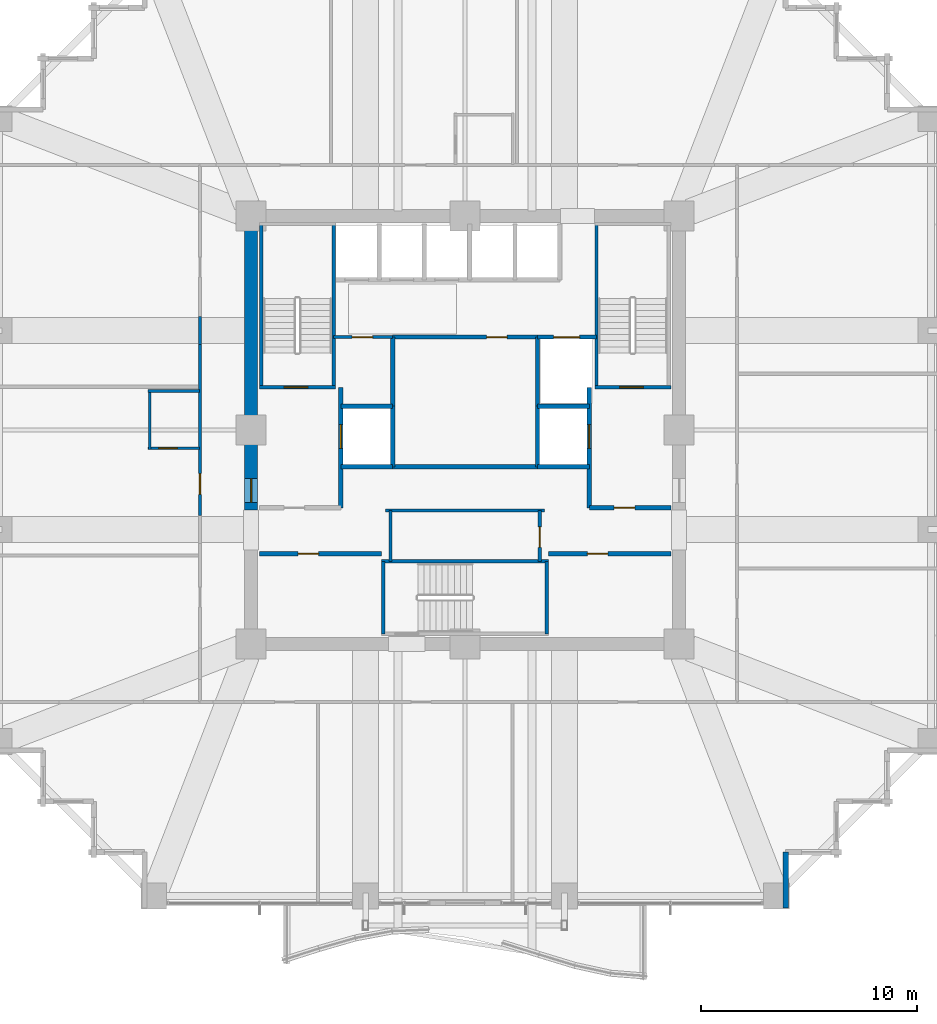
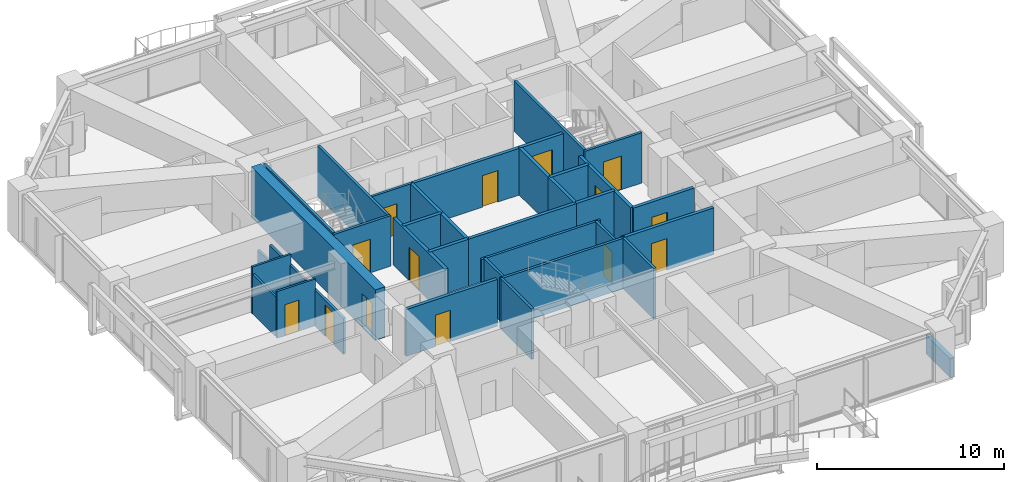
# One storey, part 32 of 37: 35 walls, 14 doors, 14 openings.
"""IFC4 building model written with IfcOpenShell, lengths in metres."""

from ifc_helpers import new_model, si_unit, direction, frame, frame_2d, origin, place, context, subcontext, project, spatial, rectangle, extrude, material, layer, layer_set, type_object, element, fill, save


model = new_model("IFC4")

# Units and contexts
model_context = context("Model", 3, precision=1e-05, world=origin(), true_north=direction((0.0, 1.0)))
body_context = subcontext(model_context, "Body", "Model", "MODEL_VIEW")
ifc_project = project(units=[si_unit("LENGTHUNIT", "METRE"), si_unit("AREAUNIT", "SQUARE_METRE"), si_unit("VOLUMEUNIT", "CUBIC_METRE"), si_unit("PLANEANGLEUNIT", "RADIAN"), si_unit("MASSUNIT", "GRAM", prefix="KILO")], contexts=[model_context])

# Site, building, storey
site_placement = place(None, origin())
site = spatial("IfcSite", under=ifc_project, at=site_placement, CompositionType="ELEMENT")
building_placement = place(site_placement, origin())
building = spatial("IfcBuilding", under=site, at=building_placement, Name="Kolvaren Belvedere", CompositionType="ELEMENT")
storey_placement = place(building_placement, frame((0.0, 0.0, 56.800048828125)))
storey = spatial("IfcBuildingStorey", under=building, at=storey_placement, Name="L16", CompositionType="ELEMENT", Elevation=56.800048828125)

# Wall, opening, door
ifc_material_1 = material(Name="Concrete C60/75", Category="concrete")
ifc_layer_1 = layer(ifc_material_1, 0.60009765625)
ifc_layer_set_1 = layer_set([ifc_layer_1], Name="Concrete C60/75")
wall_type_1 = type_object("IfcWallType", Name="CW-CORE-600", PredefinedType="SHEAR", material=ifc_layer_set_1)
wall_1_placement = place(storey_placement, frame((-9.89990234375, -3.699951171875, 0.0), z_axis=(0.0, 0.0, 1.0), x_axis=(0.0, 1.0, 0.0)))
wall_1 = element("IfcWall", 1, at=wall_1_placement, inside=storey, type_object=wall_type_1, Name="L16 West Core Shear Wall 2", PredefinedType="SHEAR", context=body_context, shape_type="SweptSolid", body=[
    extrude(rectangle(XDim=13.300048828125, YDim=0.60009765625, at=frame_2d((6.64990234375, 0.0))), origin(), (0.0, 0.0, 1.0), 3.300048828125),
])
opening_1_placement = place(wall_1_placement, frame((0.35009765625, 0.0, 0.0)))
opening_1 = element("IfcOpeningElement", 2, at=opening_1_placement, cuts=wall_1, Name="Opening D-FD90", PredefinedType="OPENING", context=body_context, shape_type="SweptSolid", body=[
    extrude(rectangle(XDim=1.10009765625, YDim=2.199951171875, at=frame_2d((0.550048828125, 1.10009765625))), frame((0.0, 0.31005859375, 0.0), z_axis=(0.0, -1.0, 0.0), x_axis=(1.0, 0.0, 0.0)), (0.0, 0.0, 1.0), 0.6201171875),
])
ifc_material_2 = material(Name="Painted hollow stainless steel", Category="steel")
door_type_1 = type_object("IfcDoorType", Name="DR-FD90-1100", OperationType="NOTDEFINED", PredefinedType="DOOR", material=ifc_material_2)
door_1_placement = place(opening_1_placement, origin())
door_1 = element("IfcDoor", 3, at=door_1_placement, inside=storey, type_object=door_type_1, Name="L16 West Firefighting Lobby Fire Door", OperationType="SINGLE_SWING_LEFT", OverallHeight=2.199951171875, OverallWidth=1.10009765625, PredefinedType="DOOR", context=body_context, shape_type="SweptSolid", body=[
    extrude(rectangle(XDim=1.10009765625, YDim=2.199951171875, at=frame_2d((0.550048828125, 1.10009765625))), frame((0.0, 0.02490234375, 0.0), z_axis=(0.0, -1.0, 0.0), x_axis=(1.0, 0.0, 0.0)), (0.0, 0.0, 1.0), 0.050048828125),
])
fill(opening_1, door_1)

ifc_material_3 = material(Name="Concrete C50/60", Category="concrete")
ifc_layer_2 = layer(ifc_material_3, 0.159912109375)
ifc_layer_set_2 = layer_set([ifc_layer_2], Name="Concrete C50/60")
wall_type_2 = type_object("IfcWallType", Name="CW-STAIR-160", PredefinedType="SHEAR", material=ifc_layer_set_2)
wall_2_placement = place(storey_placement, frame((-9.52001953125, 1.969970703125, 0.0), z_axis=(0.0, 0.0, 1.0), x_axis=(1.0, 0.0, 0.0)))
wall_2 = element("IfcWall", 4, at=wall_2_placement, inside=storey, type_object=wall_type_2, Name="L16 Stair ST-1 South Shear Wall", PredefinedType="SHEAR", context=body_context, shape_type="SweptSolid", body=[
    extrude(rectangle(XDim=3.52001953125, YDim=0.159912109375, at=frame_2d((1.760009765625, 0.0))), origin(), (0.0, 0.0, 1.0), 3.300048828125),
])
opening_2_placement = place(wall_2_placement, frame((1.14990234375, 0.0, 0.0)))
opening_2 = element("IfcOpeningElement", 5, at=opening_2_placement, cuts=wall_2, Name="Opening D-FD90", PredefinedType="OPENING", context=body_context, shape_type="SweptSolid", body=[
    extrude(rectangle(XDim=1.10009765625, YDim=2.199951171875, at=frame_2d((0.550048828125, 1.10009765625))), frame((0.0, 0.08984375, 0.0), z_axis=(0.0, -1.0, 0.0), x_axis=(1.0, 0.0, 0.0)), (0.0, 0.0, 1.0), 0.179931640625),
])
door_2_placement = place(opening_2_placement, origin())
door_2 = element("IfcDoor", 6, at=door_2_placement, inside=storey, type_object=door_type_1, Name="L16 Stair ST-1 Fire Door", OperationType="SINGLE_SWING_LEFT", OverallHeight=2.199951171875, OverallWidth=1.10009765625, PredefinedType="DOOR", context=body_context, shape_type="SweptSolid", body=[
    extrude(rectangle(XDim=1.10009765625, YDim=2.199951171875, at=frame_2d((0.550048828125, 1.10009765625))), frame((0.0, 0.02490234375, 0.0), z_axis=(0.0, -1.0, 0.0), x_axis=(1.0, 0.0, 0.0)), (0.0, 0.0, 1.0), 0.050048828125),
])
fill(opening_2, door_2)

# Walls
for number, where, z_axis, x_axis, name in (
    (7, (-9.429931640625, 1.969970703125, 0.0), (0.0, 0.0, 1.0), (0.0, 1.0, 0.0), "L16 Stair ST-1 West Shear Wall"),
    (8, (-6.080078125, 1.969970703125, 0.0), (0.0, 0.0, 1.0), (0.0, 1.0, 0.0), "L16 Stair ST-1 East Shear Wall"),
):
    element("IfcWall", number, at=place(storey_placement, frame(where, z_axis=z_axis, x_axis=x_axis)), inside=storey, type_object=wall_type_2, Name=name, PredefinedType="SHEAR", context=body_context, shape_type="SweptSolid", body=[
        extrude(rectangle(XDim=7.56005859375, YDim=0.159912109375, at=frame_2d((3.780029296875, 0.0))), origin(), (0.0, 0.0, 1.0), 3.300048828125),
    ])

# Wall, opening, door
wall_3_placement = place(storey_placement, frame((6.0, 1.969970703125, 0.0), z_axis=(0.0, 0.0, 1.0), x_axis=(1.0, 0.0, 0.0)))
wall_3 = element("IfcWall", 9, at=wall_3_placement, inside=storey, type_object=wall_type_2, Name="L16 Stair ST-2 South Shear Wall", PredefinedType="SHEAR", context=body_context, shape_type="SweptSolid", body=[
    extrude(rectangle(XDim=3.52001953125, YDim=0.159912109375, at=frame_2d((1.760009765625, 0.0))), origin(), (0.0, 0.0, 1.0), 3.300048828125),
])
opening_3_placement = place(wall_3_placement, frame((1.14990234375, 0.0, 0.0)))
opening_3 = element("IfcOpeningElement", 10, at=opening_3_placement, cuts=wall_3, Name="Opening D-FD90", PredefinedType="OPENING", context=body_context, shape_type="SweptSolid", body=[
    extrude(rectangle(XDim=1.10009765625, YDim=2.199951171875, at=frame_2d((0.550048828125, 1.10009765625))), frame((0.0, 0.08984375, 0.0), z_axis=(0.0, -1.0, 0.0), x_axis=(1.0, 0.0, 0.0)), (0.0, 0.0, 1.0), 0.179931640625),
])
door_3_placement = place(opening_3_placement, origin())
door_3 = element("IfcDoor", 11, at=door_3_placement, inside=storey, type_object=door_type_1, Name="L16 Stair ST-2 Fire Door", OperationType="SINGLE_SWING_RIGHT", OverallHeight=2.199951171875, OverallWidth=1.10009765625, PredefinedType="DOOR", context=body_context, shape_type="SweptSolid", body=[
    extrude(rectangle(XDim=1.10009765625, YDim=2.199951171875, at=frame_2d((0.550048828125, 1.10009765625))), frame((0.0, 0.02490234375, 0.0), z_axis=(0.0, -1.0, 0.0), x_axis=(1.0, 0.0, 0.0)), (0.0, 0.0, 1.0), 0.050048828125),
])
fill(opening_3, door_3)

# Walls
wall_4_placement = place(storey_placement, frame((6.080078125, 1.969970703125, 0.0), z_axis=(0.0, 0.0, 1.0), x_axis=(0.0, 1.0, 0.0)))
element("IfcWall", 12, at=wall_4_placement, inside=storey, type_object=wall_type_2, Name="L16 Stair ST-2 West Shear Wall", PredefinedType="SHEAR", context=body_context, shape_type="SweptSolid", body=[
    extrude(rectangle(XDim=7.56005859375, YDim=0.159912109375, at=frame_2d((3.780029296875, 0.0))), origin(), (0.0, 0.0, 1.0), 3.300048828125),
])
wall_5_placement = place(storey_placement, frame((-3.860107421875, -6.080078125, 0.0), z_axis=(0.0, 0.0, 1.0), x_axis=(1.0, 0.0, 0.0)))
element("IfcWall", 13, at=wall_5_placement, inside=storey, type_object=wall_type_2, Name="L16 Stair ST-3 North Shear Wall", PredefinedType="SHEAR", context=body_context, shape_type="SweptSolid", body=[
    extrude(rectangle(XDim=7.72021484375, YDim=0.159912109375, at=frame_2d((3.860107421875, 0.0))), origin(), (0.0, 0.0, 1.0), 3.300048828125),
])
for number, where, z_axis, x_axis, name in (
    (14, (-3.780029296875, -9.429931640625, 0.0), (0.0, 0.0, 1.0), (0.0, 1.0, 0.0), "L16 Stair ST-3 West Shear Wall"),
    (15, (3.780029296875, -9.429931640625, 0.0), (0.0, 0.0, 1.0), (0.0, 1.0, 0.0), "L16 Stair ST-3 East Shear Wall"),
):
    element("IfcWall", number, at=place(storey_placement, frame(where, z_axis=z_axis, x_axis=x_axis)), inside=storey, type_object=wall_type_2, Name=name, PredefinedType="SHEAR", context=body_context, shape_type="SweptSolid", body=[
        extrude(rectangle(XDim=3.349853515625, YDim=0.159912109375, at=frame_2d((1.6748046875, 0.0))), origin(), (0.0, 0.0, 1.0), 3.300048828125),
    ])

# Wall, opening, door
ifc_material_4 = material(Name="Gypsum fire-rated partition assembly", Category="gypsum")
ifc_layer_3 = layer(ifc_material_4, 0.14990234375)
ifc_layer_set_3 = layer_set([ifc_layer_3], Name="Gypsum fire-rated partition assembly")
wall_type_3 = type_object("IfcWallType", Name="WL-CORR-150", PredefinedType="PARTITIONING", material=ifc_layer_set_3)
wall_6_placement = place(storey_placement, frame((-12.260009765625, -3.9580078125, 0.0), z_axis=(0.0, 0.0, 1.0), x_axis=(0.0, 1.0, 0.0)))
wall_6 = element("IfcWall", 16, at=wall_6_placement, inside=storey, type_object=wall_type_3, Name="L16 West Corridor Wall", PredefinedType="PARTITIONING", context=body_context, shape_type="SweptSolid", body=[
    extrude(rectangle(XDim=7.916015625, YDim=0.14990234375, at=frame_2d((3.9580078125, 0.0))), origin(), (0.0, 0.0, 1.0), 2.348876953125),
])
opening_4_placement = place(wall_6_placement, frame((0.985595703125, 0.0, 0.0)))
opening_4 = element("IfcOpeningElement", 17, at=opening_4_placement, cuts=wall_6, Name="Opening D-FD60", PredefinedType="OPENING", context=body_context, shape_type="SweptSolid", body=[
    extrude(rectangle(XDim=0.949951171875, YDim=2.06005859375, at=frame_2d((0.47509765625, 1.030029296875))), frame((0.0, 0.0849609375, 0.0), z_axis=(0.0, -1.0, 0.0), x_axis=(1.0, 0.0, 0.0)), (0.0, 0.0, 1.0), 0.169921875),
])
ifc_material_5 = material(Name="Acoustic white-oak fire door leaf", Category="timber")
door_type_2 = type_object("IfcDoorType", Name="DR-FD60-950", OperationType="NOTDEFINED", PredefinedType="DOOR", material=ifc_material_5)
door_4_placement = place(opening_4_placement, origin())
door_4 = element("IfcDoor", 18, at=door_4_placement, inside=storey, type_object=door_type_2, Name="L16 King Guest Room 1608 Entry Door", OperationType="SINGLE_SWING_RIGHT", OverallHeight=2.06005859375, OverallWidth=0.949951171875, PredefinedType="DOOR", context=body_context, shape_type="SweptSolid", body=[
    extrude(rectangle(XDim=0.949951171875, YDim=2.06005859375, at=frame_2d((0.47509765625, 1.030029296875))), frame((0.0, 0.02490234375, 0.0), z_axis=(0.0, -1.0, 0.0), x_axis=(1.0, 0.0, 0.0)), (0.0, 0.0, 1.0), 0.050048828125),
])
fill(opening_4, door_4)

# Walls
wall_7_placement = place(storey_placement, frame((-12.260009765625, 3.9580078125, 0.0), z_axis=(0.0, 0.0, 1.0), x_axis=(0.0, 1.0, 0.0)))
element("IfcWall", 19, at=wall_7_placement, inside=storey, type_object=wall_type_3, Name="L16 West Corridor Wall", PredefinedType="PARTITIONING", context=body_context, shape_type="SweptSolid", body=[
    extrude(rectangle(XDim=1.283935546875, YDim=0.14990234375, at=frame_2d((0.64208984375, 0.0))), origin(), (0.0, 0.0, 1.0), 1.244873046875),
])
ifc_material_6 = material(Name="Insulated pale-metal facade wall assembly", Category="aluminium")
ifc_layer_4 = layer(ifc_material_6, 0.239990234375)
ifc_layer_set_4 = layer_set([ifc_layer_4], Name="Insulated pale-metal facade wall assembly")
wall_type_4 = type_object("IfcWallType", Name="WL-EXT-240", PredefinedType="STANDARD", material=ifc_layer_set_4)
wall_8_placement = place(storey_placement, frame((14.830078125, -19.530029296875, 0.0), z_axis=(0.0, 0.0, 1.0), x_axis=(0.0, -1.0, 0.0)))
element("IfcWall", 20, at=wall_8_placement, inside=storey, type_object=wall_type_4, Name="L16 Serrated Corner Facade Wall 2", PredefinedType="STANDARD", context=body_context, shape_type="SweptSolid", body=[
    extrude(rectangle(XDim=2.590087890625, YDim=0.239990234375, at=frame_2d((1.294921875, 0.0))), origin(), (0.0, 0.0, 1.0), 1.2548828125),
])
ifc_material_7 = material(Name="Gypsum acoustic partition assembly", Category="gypsum")
ifc_layer_5 = layer(ifc_material_7, 0.14990234375)
ifc_layer_set_5 = layer_set([ifc_layer_5], Name="Gypsum acoustic partition assembly")
wall_type_5 = type_object("IfcWallType", Name="WL-PART-150", PredefinedType="PARTITIONING", material=ifc_layer_set_5)
wall_9_placement = place(storey_placement, frame((-3.679931640625, -3.719970703125, 0.0), z_axis=(0.0, 0.0, 1.0), x_axis=(1.0, 0.0, 0.0)))
element("IfcWall", 21, at=wall_9_placement, inside=storey, type_object=wall_type_5, Name="L16 South Core Service North Wall", PredefinedType="PARTITIONING", context=body_context, shape_type="SweptSolid", body=[
    extrude(rectangle(XDim=7.35986328125, YDim=0.14990234375, at=frame_2d((3.679931640625, 0.0))), origin(), (0.0, 0.0, 1.0), 3.06005859375),
])

# Wall, opening, door
wall_10_placement = place(storey_placement, frame((3.449951171875, -6.080078125, 0.0), z_axis=(0.0, 0.0, 1.0), x_axis=(0.0, 1.0, 0.0)))
wall_10 = element("IfcWall", 22, at=wall_10_placement, inside=storey, type_object=wall_type_5, Name="L16 South Core Service East Wall", PredefinedType="PARTITIONING", context=body_context, shape_type="SweptSolid", body=[
    extrude(rectangle(XDim=2.360107421875, YDim=0.14990234375, at=frame_2d((1.18017578125, 0.0))), origin(), (0.0, 0.0, 1.0), 3.06005859375),
])
opening_5_placement = place(wall_10_placement, frame((0.64990234375, 0.0, 0.0)))
opening_5 = element("IfcOpeningElement", 23, at=opening_5_placement, cuts=wall_10, Name="Opening D-FD60", PredefinedType="OPENING", context=body_context, shape_type="SweptSolid", body=[
    extrude(rectangle(XDim=0.949951171875, YDim=2.06005859375, at=frame_2d((0.47509765625, 1.030029296875))), frame((0.0, 0.0849609375, 0.0), z_axis=(0.0, -1.0, 0.0), x_axis=(1.0, 0.0, 0.0)), (0.0, 0.0, 1.0), 0.169921875),
])
door_5_placement = place(opening_5_placement, origin())
door_5 = element("IfcDoor", 24, at=door_5_placement, inside=storey, type_object=door_type_2, Name="L16 Core Service Room Door", OperationType="SINGLE_SWING_LEFT", OverallHeight=2.06005859375, OverallWidth=0.949951171875, PredefinedType="DOOR", context=body_context, shape_type="SweptSolid", body=[
    extrude(rectangle(XDim=0.949951171875, YDim=2.06005859375, at=frame_2d((0.47509765625, 1.030029296875))), frame((0.0, 0.02490234375, 0.0), z_axis=(0.0, -1.0, 0.0), x_axis=(1.0, 0.0, 0.0)), (0.0, 0.0, 1.0), 0.050048828125),
])
fill(opening_5, door_5)

# Wall
wall_11_placement = place(storey_placement, frame((-3.449951171875, -6.080078125, 0.0), z_axis=(0.0, 0.0, 1.0), x_axis=(0.0, 1.0, 0.0)))
element("IfcWall", 25, at=wall_11_placement, inside=storey, type_object=wall_type_5, Name="L16 South Core Service West Wall", PredefinedType="PARTITIONING", context=body_context, shape_type="SweptSolid", body=[
    extrude(rectangle(XDim=2.360107421875, YDim=0.14990234375, at=frame_2d((1.18017578125, 0.0))), origin(), (0.0, 0.0, 1.0), 3.06005859375),
])

# Wall, opening, door
wall_12_placement = place(storey_placement, frame((-6.080078125, 4.300048828125, 0.0), z_axis=(0.0, 0.0, 1.0), x_axis=(1.0, 0.0, 0.0)))
wall_12 = element("IfcWall", 26, at=wall_12_placement, inside=storey, type_object=wall_type_5, Name="L16 NW Service Room North Wall", PredefinedType="PARTITIONING", context=body_context, shape_type="SweptSolid", body=[
    extrude(rectangle(XDim=2.72998046875, YDim=0.14990234375, at=frame_2d((1.364990234375, 0.0))), origin(), (0.0, 0.0, 1.0), 3.06005859375),
])
opening_6_placement = place(wall_12_placement, frame((0.85009765625, 0.0, 0.0)))
opening_6 = element("IfcOpeningElement", 27, at=opening_6_placement, cuts=wall_12, Name="Opening D-FD60", PredefinedType="OPENING", context=body_context, shape_type="SweptSolid", body=[
    extrude(rectangle(XDim=0.949951171875, YDim=2.06005859375, at=frame_2d((0.47509765625, 1.030029296875))), frame((0.0, 0.0849609375, 0.0), z_axis=(0.0, -1.0, 0.0), x_axis=(1.0, 0.0, 0.0)), (0.0, 0.0, 1.0), 0.169921875),
])
door_6_placement = place(opening_6_placement, origin())
door_6 = element("IfcDoor", 28, at=door_6_placement, inside=storey, type_object=door_type_2, Name="L16 NW Core Store Door", OperationType="SINGLE_SWING_RIGHT", OverallHeight=2.06005859375, OverallWidth=0.949951171875, PredefinedType="DOOR", context=body_context, shape_type="SweptSolid", body=[
    extrude(rectangle(XDim=0.949951171875, YDim=2.06005859375, at=frame_2d((0.47509765625, 1.030029296875))), frame((0.0, 0.02490234375, 0.0), z_axis=(0.0, -1.0, 0.0), x_axis=(1.0, 0.0, 0.0)), (0.0, 0.0, 1.0), 0.050048828125),
])
fill(opening_6, door_6)

ifc_material_8 = material(Name="Concrete C50/60", Category="concrete")
ifc_layer_6 = layer(ifc_material_8, 0.199951171875)
ifc_layer_set_6 = layer_set([ifc_layer_6], Name="Concrete C50/60")
wall_type_6 = type_object("IfcWallType", Name="WL-SHAFT-200", PredefinedType="SOLIDWALL", material=ifc_layer_set_6)
wall_13_placement = place(storey_placement, frame((-5.75, -3.60009765625, 0.0), z_axis=(0.0, 0.0, 1.0), x_axis=(0.0, 1.0, 0.0)))
wall_13 = element("IfcWall", 29, at=wall_13_placement, inside=storey, type_object=wall_type_6, Name="L16 FSAE FS1 Landing Wall", PredefinedType="SOLIDWALL", context=body_context, shape_type="SweptSolid", body=[
    extrude(rectangle(XDim=5.570068359375, YDim=0.199951171875, at=frame_2d((2.78515625, 0.0))), origin(), (0.0, 0.0, 1.0), 3.06005859375),
])
opening_7_placement = place(wall_13_placement, frame((2.75, 0.0, 0.0)))
opening_7 = element("IfcOpeningElement", 30, at=opening_7_placement, cuts=wall_13, Name="Opening LD-11", PredefinedType="OPENING", context=body_context, shape_type="SweptSolid", body=[
    extrude(rectangle(XDim=1.10009765625, YDim=2.199951171875, at=frame_2d((0.550048828125, 1.10009765625))), frame((0.0, 0.10986328125, 0.0), z_axis=(0.0, -1.0, 0.0), x_axis=(1.0, 0.0, 0.0)), (0.0, 0.0, 1.0), 0.219970703125),
])
ifc_material_9 = material(Name="Brushed stainless steel", Category="steel")
door_type_3 = type_object("IfcDoorType", Name="DR-LIFT-1100", OperationType="DOUBLE_DOOR_SLIDING", PredefinedType="DOOR", material=ifc_material_9)
door_7_placement = place(opening_7_placement, origin())
door_7 = element("IfcDoor", 31, at=door_7_placement, inside=storey, type_object=door_type_3, Name="L16 Firefighting Lift FS1 Landing Door", OperationType="DOUBLE_DOOR_SLIDING", OverallHeight=2.199951171875, OverallWidth=1.10009765625, PredefinedType="DOOR", context=body_context, shape_type="SweptSolid", body=[
    extrude(rectangle(XDim=1.10009765625, YDim=2.199951171875, at=frame_2d((0.550048828125, 1.10009765625))), frame((0.0, 0.02490234375, 0.0), z_axis=(0.0, -1.0, 0.0), x_axis=(1.0, 0.0, 0.0)), (0.0, 0.0, 1.0), 0.050048828125),
])
fill(opening_7, door_7)

# Walls
wall_14_placement = place(storey_placement, frame((-3.35009765625, -1.699951171875, 0.0), z_axis=(0.0, 0.0, 1.0), x_axis=(0.0, 1.0, 0.0)))
element("IfcWall", 32, at=wall_14_placement, inside=storey, type_object=wall_type_6, Name="L16 FSAE FS1 Back Wall", PredefinedType="SOLIDWALL", context=body_context, shape_type="SweptSolid", body=[
    extrude(rectangle(XDim=2.800048828125, YDim=0.199951171875, at=frame_2d((1.39990234375, 0.0))), origin(), (0.0, 0.0, 1.0), 3.06005859375),
])
for number, where, z_axis, x_axis, name in (
    (33, (-5.75, -1.699951171875, 0.0), (0.0, 0.0, 1.0), (1.0, 0.0, 0.0), "L16 FSAE FS1 South Wall"),
    (34, (-5.75, 1.10009765625, 0.0), (0.0, 0.0, 1.0), (1.0, 0.0, 0.0), "L16 FSAE FS1 North Wall"),
):
    element("IfcWall", number, at=place(storey_placement, frame(where, z_axis=z_axis, x_axis=x_axis)), inside=storey, type_object=wall_type_6, Name=name, PredefinedType="SOLIDWALL", context=body_context, shape_type="SweptSolid", body=[
        extrude(rectangle(XDim=2.39990234375, YDim=0.199951171875, at=frame_2d((1.199951171875, 0.0))), origin(), (0.0, 0.0, 1.0), 3.06005859375),
    ])

# Wall, opening, door
wall_15_placement = place(storey_placement, frame((5.75, -3.60009765625, 0.0), z_axis=(0.0, 0.0, 1.0), x_axis=(1.0, 0.0, 0.0)))
wall_15 = element("IfcWall", 35, at=wall_15_placement, inside=storey, type_object=wall_type_6, Name="L16 East FSAE Lobby South Wall", PredefinedType="SOLIDWALL", context=body_context, shape_type="SweptSolid", body=[
    extrude(rectangle(XDim=3.77001953125, YDim=0.199951171875, at=frame_2d((1.885009765625, 0.0))), origin(), (0.0, 0.0, 1.0), 3.06005859375),
])
opening_8_placement = place(wall_15_placement, frame((1.14990234375, 0.0, 0.0)))
opening_8 = element("IfcOpeningElement", 36, at=opening_8_placement, cuts=wall_15, Name="Opening D-FD60", PredefinedType="OPENING", context=body_context, shape_type="SweptSolid", body=[
    extrude(rectangle(XDim=0.949951171875, YDim=2.06005859375, at=frame_2d((0.47509765625, 1.030029296875))), frame((0.0, 0.10986328125, 0.0), z_axis=(0.0, -1.0, 0.0), x_axis=(1.0, 0.0, 0.0)), (0.0, 0.0, 1.0), 0.219970703125),
])
door_8_placement = place(opening_8_placement, origin())
door_8 = element("IfcDoor", 37, at=door_8_placement, inside=storey, type_object=door_type_2, Name="L16 SE Lift Lobby Fire Door", OperationType="SINGLE_SWING_RIGHT", OverallHeight=2.06005859375, OverallWidth=0.949951171875, PredefinedType="DOOR", context=body_context, shape_type="SweptSolid", body=[
    extrude(rectangle(XDim=0.949951171875, YDim=2.06005859375, at=frame_2d((0.47509765625, 1.030029296875))), frame((0.0, 0.02490234375, 0.0), z_axis=(0.0, -1.0, 0.0), x_axis=(1.0, 0.0, 0.0)), (0.0, 0.0, 1.0), 0.050048828125),
])
fill(opening_8, door_8)

wall_16_placement = place(storey_placement, frame((5.75, -3.60009765625, 0.0), z_axis=(0.0, 0.0, 1.0), x_axis=(0.0, 1.0, 0.0)))
wall_16 = element("IfcWall", 38, at=wall_16_placement, inside=storey, type_object=wall_type_6, Name="L16 FSAE FS2 Landing Wall", PredefinedType="SOLIDWALL", context=body_context, shape_type="SweptSolid", body=[
    extrude(rectangle(XDim=5.570068359375, YDim=0.199951171875, at=frame_2d((2.78515625, 0.0))), origin(), (0.0, 0.0, 1.0), 3.06005859375),
])
opening_9_placement = place(wall_16_placement, frame((2.75, 0.0, 0.0)))
opening_9 = element("IfcOpeningElement", 39, at=opening_9_placement, cuts=wall_16, Name="Opening LD-11", PredefinedType="OPENING", context=body_context, shape_type="SweptSolid", body=[
    extrude(rectangle(XDim=1.10009765625, YDim=2.199951171875, at=frame_2d((0.550048828125, 1.10009765625))), frame((0.0, 0.10986328125, 0.0), z_axis=(0.0, -1.0, 0.0), x_axis=(1.0, 0.0, 0.0)), (0.0, 0.0, 1.0), 0.219970703125),
])
door_9_placement = place(opening_9_placement, origin())
door_9 = element("IfcDoor", 40, at=door_9_placement, inside=storey, type_object=door_type_3, Name="L16 Firefighting Lift FS2 Landing Door", OperationType="DOUBLE_DOOR_SLIDING", OverallHeight=2.199951171875, OverallWidth=1.10009765625, PredefinedType="DOOR", context=body_context, shape_type="SweptSolid", body=[
    extrude(rectangle(XDim=1.10009765625, YDim=2.199951171875, at=frame_2d((0.550048828125, 1.10009765625))), frame((0.0, 0.02490234375, 0.0), z_axis=(0.0, -1.0, 0.0), x_axis=(1.0, 0.0, 0.0)), (0.0, 0.0, 1.0), 0.050048828125),
])
fill(opening_9, door_9)

# Walls
wall_17_placement = place(storey_placement, frame((3.35009765625, -1.699951171875, 0.0), z_axis=(0.0, 0.0, 1.0), x_axis=(0.0, 1.0, 0.0)))
element("IfcWall", 41, at=wall_17_placement, inside=storey, type_object=wall_type_6, Name="L16 FSAE FS2 Back Wall", PredefinedType="SOLIDWALL", context=body_context, shape_type="SweptSolid", body=[
    extrude(rectangle(XDim=2.800048828125, YDim=0.199951171875, at=frame_2d((1.39990234375, 0.0))), origin(), (0.0, 0.0, 1.0), 3.06005859375),
])
for number, where, z_axis, x_axis, name in (
    (42, (3.35009765625, -1.699951171875, 0.0), (0.0, 0.0, 1.0), (1.0, 0.0, 0.0), "L16 FSAE FS2 South Wall"),
    (43, (3.35009765625, 1.10009765625, 0.0), (0.0, 0.0, 1.0), (1.0, 0.0, 0.0), "L16 FSAE FS2 North Wall"),
):
    element("IfcWall", number, at=place(storey_placement, frame(where, z_axis=z_axis, x_axis=x_axis)), inside=storey, type_object=wall_type_6, Name=name, PredefinedType="SOLIDWALL", context=body_context, shape_type="SweptSolid", body=[
        extrude(rectangle(XDim=2.39990234375, YDim=0.199951171875, at=frame_2d((1.199951171875, 0.0))), origin(), (0.0, 0.0, 1.0), 3.06005859375),
    ])

# Wall, opening, door
wall_18_placement = place(storey_placement, frame((3.35009765625, 4.300048828125, 0.0), z_axis=(0.0, 0.0, 1.0), x_axis=(1.0, 0.0, 0.0)))
wall_18 = element("IfcWall", 44, at=wall_18_placement, inside=storey, type_object=wall_type_6, Name="L16 Service Lift SV1 Front Wall", PredefinedType="SOLIDWALL", context=body_context, shape_type="SweptSolid", body=[
    extrude(rectangle(XDim=2.72998046875, YDim=0.199951171875, at=frame_2d((1.364990234375, 0.0))), origin(), (0.0, 0.0, 1.0), 3.06005859375),
])
opening_10_placement = place(wall_18_placement, frame((0.75, 0.0, 0.0)))
opening_10 = element("IfcOpeningElement", 45, at=opening_10_placement, cuts=wall_18, Name="Opening LD-12", PredefinedType="OPENING", context=body_context, shape_type="SweptSolid", body=[
    extrude(rectangle(XDim=1.199951171875, YDim=2.25, at=frame_2d((0.60009765625, 1.125))), frame((0.0, 0.10986328125, 0.0), z_axis=(0.0, -1.0, 0.0), x_axis=(1.0, 0.0, 0.0)), (0.0, 0.0, 1.0), 0.219970703125),
])
ifc_material_10 = material(Name="Brushed stainless steel", Category="steel")
door_type_4 = type_object("IfcDoorType", Name="DR-LIFT-1200", OperationType="DOUBLE_DOOR_SLIDING", PredefinedType="DOOR", material=ifc_material_10)
door_10_placement = place(opening_10_placement, origin())
door_10 = element("IfcDoor", 46, at=door_10_placement, inside=storey, type_object=door_type_4, Name="L16 Service Lift SV1 Landing Door", OperationType="DOUBLE_DOOR_SLIDING", OverallHeight=2.25, OverallWidth=1.199951171875, PredefinedType="DOOR", context=body_context, shape_type="SweptSolid", body=[
    extrude(rectangle(XDim=1.199951171875, YDim=2.25, at=frame_2d((0.60009765625, 1.125))), frame((0.0, 0.02490234375, 0.0), z_axis=(0.0, -1.0, 0.0), x_axis=(1.0, 0.0, 0.0)), (0.0, 0.0, 1.0), 0.050048828125),
])
fill(opening_10, door_10)

wall_19_placement = place(storey_placement, frame((-9.52001953125, -5.719970703125, 0.0), z_axis=(0.0, 0.0, 1.0), x_axis=(1.0, 0.0, 0.0)))
wall_19 = element("IfcWall", 47, at=wall_19_placement, inside=storey, type_object=wall_type_6, Name="L16 SW Core Reserve Wall", PredefinedType="SOLIDWALL", context=body_context, shape_type="SweptSolid", body=[
    extrude(rectangle(XDim=5.659912109375, YDim=0.199951171875, at=frame_2d((2.830078125, 0.0))), origin(), (0.0, 0.0, 1.0), 3.06005859375),
])
opening_11_placement = place(wall_19_placement, frame((1.800048828125, 0.0, 0.0)))
opening_11 = element("IfcOpeningElement", 48, at=opening_11_placement, cuts=wall_19, Name="Opening D-FD60", PredefinedType="OPENING", context=body_context, shape_type="SweptSolid", body=[
    extrude(rectangle(XDim=0.949951171875, YDim=2.06005859375, at=frame_2d((0.47509765625, 1.030029296875))), frame((0.0, 0.10986328125, 0.0), z_axis=(0.0, -1.0, 0.0), x_axis=(1.0, 0.0, 0.0)), (0.0, 0.0, 1.0), 0.219970703125),
])
door_11_placement = place(opening_11_placement, origin())
door_11 = element("IfcDoor", 49, at=door_11_placement, inside=storey, type_object=door_type_2, Name="L16 SW Core Room Door", OperationType="SINGLE_SWING_LEFT", OverallHeight=2.06005859375, OverallWidth=0.949951171875, PredefinedType="DOOR", context=body_context, shape_type="SweptSolid", body=[
    extrude(rectangle(XDim=0.949951171875, YDim=2.06005859375, at=frame_2d((0.47509765625, 1.030029296875))), frame((0.0, 0.02490234375, 0.0), z_axis=(0.0, -1.0, 0.0), x_axis=(1.0, 0.0, 0.0)), (0.0, 0.0, 1.0), 0.050048828125),
])
fill(opening_11, door_11)

wall_20_placement = place(storey_placement, frame((3.860107421875, -5.719970703125, 0.0), z_axis=(0.0, 0.0, 1.0), x_axis=(1.0, 0.0, 0.0)))
wall_20 = element("IfcWall", 50, at=wall_20_placement, inside=storey, type_object=wall_type_6, Name="L16 SE Core Distribution Wall", PredefinedType="SOLIDWALL", context=body_context, shape_type="SweptSolid", body=[
    extrude(rectangle(XDim=5.659912109375, YDim=0.199951171875, at=frame_2d((2.830078125, 0.0))), origin(), (0.0, 0.0, 1.0), 3.06005859375),
])
opening_12_placement = place(wall_20_placement, frame((1.800048828125, 0.0, 0.0)))
opening_12 = element("IfcOpeningElement", 51, at=opening_12_placement, cuts=wall_20, Name="Opening D-FD60", PredefinedType="OPENING", context=body_context, shape_type="SweptSolid", body=[
    extrude(rectangle(XDim=0.949951171875, YDim=2.06005859375, at=frame_2d((0.47509765625, 1.030029296875))), frame((0.0, 0.10986328125, 0.0), z_axis=(0.0, -1.0, 0.0), x_axis=(1.0, 0.0, 0.0)), (0.0, 0.0, 1.0), 0.219970703125),
])
door_12_placement = place(opening_12_placement, origin())
door_12 = element("IfcDoor", 52, at=door_12_placement, inside=storey, type_object=door_type_2, Name="L16 Core Electrical & BMS Room Door", OperationType="SINGLE_SWING_RIGHT", OverallHeight=2.06005859375, OverallWidth=0.949951171875, PredefinedType="DOOR", context=body_context, shape_type="SweptSolid", body=[
    extrude(rectangle(XDim=0.949951171875, YDim=2.06005859375, at=frame_2d((0.47509765625, 1.030029296875))), frame((0.0, 0.02490234375, 0.0), z_axis=(0.0, -1.0, 0.0), x_axis=(1.0, 0.0, 0.0)), (0.0, 0.0, 1.0), 0.050048828125),
])
fill(opening_12, door_12)

wall_21_placement = place(storey_placement, frame((-3.35009765625, 4.300048828125, 0.0), z_axis=(0.0, 0.0, 1.0), x_axis=(1.0, 0.0, 0.0)))
wall_21 = element("IfcWall", 53, at=wall_21_placement, inside=storey, type_object=wall_type_6, Name="L16 Central Core Room North Wall", PredefinedType="SOLIDWALL", context=body_context, shape_type="SweptSolid", body=[
    extrude(rectangle(XDim=6.7001953125, YDim=0.199951171875, at=frame_2d((3.35009765625, 0.0))), origin(), (0.0, 0.0, 1.0), 3.06005859375),
])
opening_13_placement = place(wall_21_placement, frame((4.35009765625, 0.0, 0.0)))
opening_13 = element("IfcOpeningElement", 54, at=opening_13_placement, cuts=wall_21, Name="Opening D-FD60", PredefinedType="OPENING", context=body_context, shape_type="SweptSolid", body=[
    extrude(rectangle(XDim=0.949951171875, YDim=2.06005859375, at=frame_2d((0.47509765625, 1.030029296875))), frame((0.0, 0.10986328125, 0.0), z_axis=(0.0, -1.0, 0.0), x_axis=(1.0, 0.0, 0.0)), (0.0, 0.0, 1.0), 0.219970703125),
])
door_13_placement = place(opening_13_placement, origin())
door_13 = element("IfcDoor", 55, at=door_13_placement, inside=storey, type_object=door_type_2, Name="L16 Central Core Controls Door", OperationType="SINGLE_SWING_LEFT", OverallHeight=2.06005859375, OverallWidth=0.949951171875, PredefinedType="DOOR", context=body_context, shape_type="SweptSolid", body=[
    extrude(rectangle(XDim=0.949951171875, YDim=2.06005859375, at=frame_2d((0.47509765625, 1.030029296875))), frame((0.0, 0.02490234375, 0.0), z_axis=(0.0, -1.0, 0.0), x_axis=(1.0, 0.0, 0.0)), (0.0, 0.0, 1.0), 0.050048828125),
])
fill(opening_13, door_13)

# Walls
wall_22_placement = place(storey_placement, frame((-3.35009765625, -1.699951171875, 0.0), z_axis=(0.0, 0.0, 1.0), x_axis=(1.0, 0.0, 0.0)))
element("IfcWall", 56, at=wall_22_placement, inside=storey, type_object=wall_type_6, Name="L16 Central Core Room South Wall", PredefinedType="SOLIDWALL", context=body_context, shape_type="SweptSolid", body=[
    extrude(rectangle(XDim=6.7001953125, YDim=0.199951171875, at=frame_2d((3.35009765625, 0.0))), origin(), (0.0, 0.0, 1.0), 3.06005859375),
])
for number, where, z_axis, x_axis, name in (
    (57, (-3.35009765625, 1.10009765625, 0.0), (0.0, 0.0, 1.0), (0.0, 1.0, 0.0), "L16 Central Core Room West Wall"),
    (58, (3.35009765625, 1.10009765625, 0.0), (0.0, 0.0, 1.0), (0.0, 1.0, 0.0), "L16 Central Core Room East Wall"),
):
    element("IfcWall", number, at=place(storey_placement, frame(where, z_axis=z_axis, x_axis=x_axis)), inside=storey, type_object=wall_type_6, Name=name, PredefinedType="SOLIDWALL", context=body_context, shape_type="SweptSolid", body=[
        extrude(rectangle(XDim=3.199951171875, YDim=0.199951171875, at=frame_2d((1.60009765625, 0.0))), origin(), (0.0, 0.0, 1.0), 3.06005859375),
    ])

# Wall, opening, door
ifc_material_11 = material(Name="Moisture-resistant gypsum partition", Category="gypsum")
ifc_layer_7 = layer(ifc_material_11, 0.125)
ifc_layer_set_7 = layer_set([ifc_layer_7], Name="Moisture-resistant gypsum partition")
wall_type_7 = type_object("IfcWallType", Name="WL-WET-125", PredefinedType="PARTITIONING", material=ifc_layer_set_7)
wall_23_placement = place(storey_placement, frame((-14.6650390625, -0.844970703125, 0.0), z_axis=(0.0, 0.0, 1.0), x_axis=(1.0, 0.0, 0.0)))
wall_23 = element("IfcWall", 59, at=wall_23_placement, inside=storey, type_object=wall_type_7, Name="L16 Bathroom Partition PW-L16-BTH-8-N", PredefinedType="PARTITIONING", context=body_context, shape_type="SweptSolid", body=[
    extrude(rectangle(XDim=2.39013671875, YDim=0.125, at=frame_2d((1.195068359375, 0.0))), origin(), (0.0, 0.0, 1.0), 3.06005859375),
])
opening_14_placement = place(wall_23_placement, frame((0.5, 0.0, 0.0)))
opening_14 = element("IfcOpeningElement", 60, at=opening_14_placement, cuts=wall_23, Name="Opening D-BTH85", PredefinedType="OPENING", context=body_context, shape_type="SweptSolid", body=[
    extrude(rectangle(XDim=0.85009765625, YDim=2.030029296875, at=frame_2d((0.425048828125, 1.01513671875))), frame((0.0, 0.072509765625, 0.0), z_axis=(0.0, -1.0, 0.0), x_axis=(1.0, 0.0, 0.0)), (0.0, 0.0, 1.0), 0.14501953125),
])
ifc_material_12 = material(Name="Moisture-sealed Pacific white oak", Category="timber")
door_type_5 = type_object("IfcDoorType", Name="DR-BATH-850", OperationType="NOTDEFINED", PredefinedType="DOOR", material=ifc_material_12)
door_14_placement = place(opening_14_placement, origin())
door_14 = element("IfcDoor", 61, at=door_14_placement, inside=storey, type_object=door_type_5, Name="L16 En-Suite Bathroom 1608 Door", OperationType="SINGLE_SWING_LEFT", OverallHeight=2.030029296875, OverallWidth=0.85009765625, PredefinedType="DOOR", context=body_context, shape_type="SweptSolid", body=[
    extrude(rectangle(XDim=0.85009765625, YDim=2.030029296875, at=frame_2d((0.425048828125, 1.01513671875))), frame((0.0, 0.02490234375, 0.0), z_axis=(0.0, -1.0, 0.0), x_axis=(1.0, 0.0, 0.0)), (0.0, 0.0, 1.0), 0.050048828125),
])
fill(opening_14, door_14)

# Walls
wall_24_placement = place(storey_placement, frame((-14.5849609375, -0.905029296875, 0.0), z_axis=(0.0, 0.0, 1.0), x_axis=(0.0, 1.0, 0.0)))
element("IfcWall", 62, at=wall_24_placement, inside=storey, type_object=wall_type_7, Name="L16 Bathroom Partition PW-L16-BTH-8-V", PredefinedType="PARTITIONING", context=body_context, shape_type="SweptSolid", body=[
    extrude(rectangle(XDim=2.77001953125, YDim=0.125, at=frame_2d((1.385009765625, 0.0))), origin(), (0.0, 0.0, 1.0), 2.5849609375),
])
wall_25_placement = place(storey_placement, frame((-14.6650390625, 1.804931640625, 0.0), z_axis=(0.0, 0.0, 1.0), x_axis=(1.0, 0.0, 0.0)))
element("IfcWall", 63, at=wall_25_placement, inside=storey, type_object=wall_type_7, Name="L16 Bathroom Partition PW-L16-BTH-8-S", PredefinedType="PARTITIONING", context=body_context, shape_type="SweptSolid", body=[
    extrude(rectangle(XDim=2.39013671875, YDim=0.125, at=frame_2d((1.195068359375, 0.0))), origin(), (0.0, 0.0, 1.0), 3.06005859375),
])

save(model, "model.ifc")
